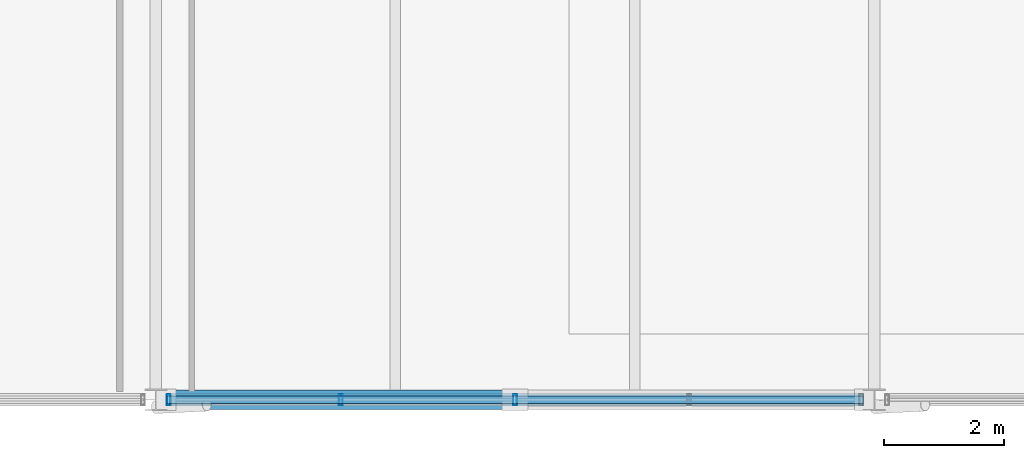
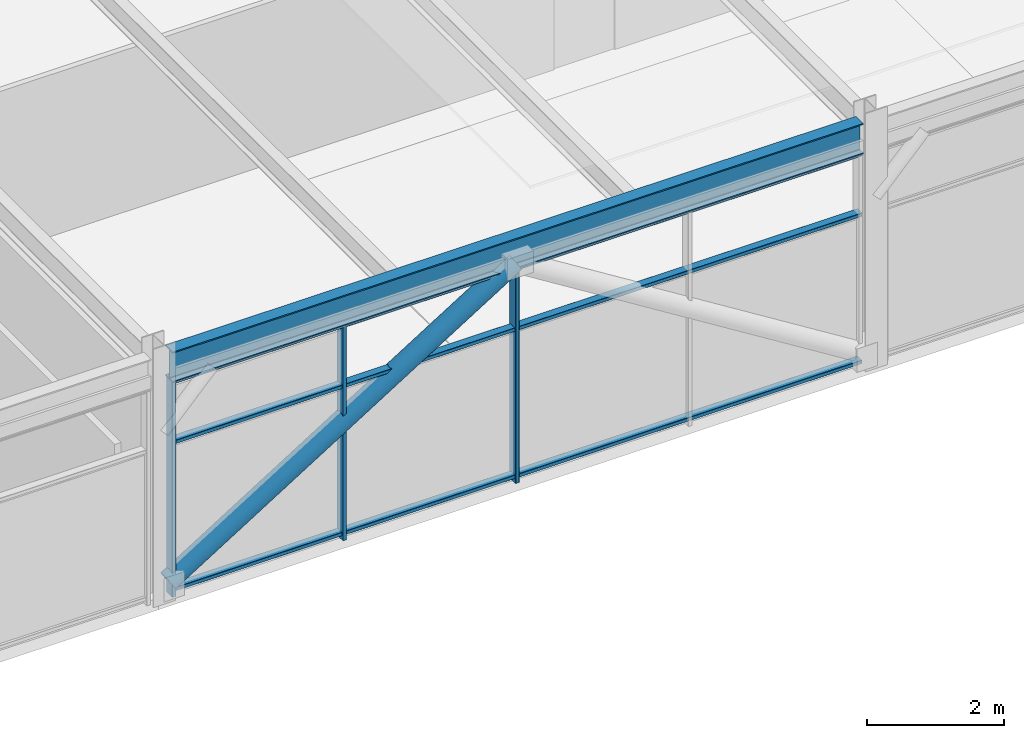
# One storey, part 16 of 28: 7 members, 1 beam, 1 element without a shape of its own.
"""IFC4 building model written with IfcOpenShell, lengths in metres."""

from ifc_helpers import new_model, si_unit, direction, frame, origin, origin_2d, place, context, subcontext, project, spatial, hollow_rectangle, hollow_circle, i_section, extrude, material, material_profile, profile_set, type_object, element, aggregate, save


model = new_model("IFC4")

# Units and contexts
model_context = context("Model", 3, precision=1e-05, world=origin(), true_north=direction((0.0, 1.0)))
body_context = subcontext(model_context, "Body", "Model", "MODEL_VIEW")
ifc_project = project(units=[si_unit("LENGTHUNIT", "METRE"), si_unit("AREAUNIT", "SQUARE_METRE"), si_unit("VOLUMEUNIT", "CUBIC_METRE"), si_unit("PLANEANGLEUNIT", "RADIAN"), si_unit("MASSUNIT", "GRAM", prefix="KILO")], contexts=[model_context])

# Site, building, storey
site_placement = place(None, origin())
site = spatial("IfcSite", under=ifc_project, at=site_placement, CompositionType="ELEMENT")
building_placement = place(site_placement, origin())
building = spatial("IfcBuilding", under=site, at=building_placement, Name="Girod Span Mobility Hub", CompositionType="ELEMENT")
storey_placement = place(building_placement, frame((0.0, 0.0, 69.60009765625)))
storey = spatial("IfcBuildingStorey", under=building, at=storey_placement, Name="L17", CompositionType="ELEMENT", Elevation=69.60009765625)

# Beam
ifc_material_1 = material(Name="Steel A992 Grade 50", Category="steel")
ifc_material_profile_1 = material_profile(ifc_material_1, i_section(OverallWidth=0.2119140625, OverallDepth=0.5439453125, WebThickness=0.01318359375, FlangeThickness=0.021240234375, FilletRadius=0.014892578125, at=origin_2d()), Name="W21X83")
ifc_profile_set_1 = profile_set([ifc_material_profile_1], Name="Steel A992 Grade 50")
beam_type = type_object("IfcBeamType", Name="BM-STL-W21X83", PredefinedType="SPANDREL", material=ifc_profile_set_1)
beam_placement = place(storey_placement, frame((96.181396484375, 45.0, 4.10791015625), z_axis=(1.0, 0.0, 0.0), x_axis=(0.0, 1.0, 0.0)))
element("IfcBeam", 1, at=beam_placement, inside=storey, type_object=beam_type, Name="Girder 9-10/D L17", PredefinedType="SPANDREL", context=body_context, shape_type="SweptSolid", body=[
    extrude(i_section(OverallWidth=0.2119140625, OverallDepth=0.5439453125, WebThickness=0.01318359375, FlangeThickness=0.021240234375, FilletRadius=0.014892578125, at=origin_2d()), origin(), (0.0, 0.0, 1.0), 11.63720703125),
])

# Curtain wall, members
ifc_material_2 = material(Name="Thermally Broken Anodised Aluminium", Category="aluminium")
curtain_wall_type = type_object("IfcCurtainWallType", Name="CW-1164X384", PredefinedType="USERDEFINED", material=ifc_material_2)
curtain_wall_placement = place(storey_placement, origin())
curtain_wall = element("IfcCurtainWall", 2, at=curtain_wall_placement, inside=storey, type_object=curtain_wall_type, Name="Unitised Curtain Wall CW-L17-S09 L17", ObjectType="UNITISED CURTAIN WALL", PredefinedType="USERDEFINED")
ifc_material_3 = material(Name="Thermally Broken Anodised Aluminium", Category="aluminium")
ifc_material_profile_2 = material_profile(ifc_material_3, hollow_rectangle(XDim=0.179931640625, YDim=0.06494140625, WallThickness=0.00390625, InnerFilletRadius=0.00390625, OuterFilletRadius=0.008056640625, at=origin_2d()), Name="CW-ML-65X180")
ifc_profile_set_2 = profile_set([ifc_material_profile_2], Name="Thermally Broken Anodised Aluminium")
member_type_1 = type_object("IfcMemberType", Name="CWM-ML-2", PredefinedType="MULLION", material=ifc_profile_set_2)
member_1_placement = place(storey_placement, frame((96.214599609375, 45.0, 0.0), z_axis=(0.0, 0.0, 1.0), x_axis=(0.0, 1.0, 0.0)))
member_1 = element("IfcMember", 3, at=member_1_placement, type_object=member_type_1, Name="Curtain Wall Mullion CW-L17-S09-M0", PredefinedType="MULLION", context=body_context, shape_type="SweptSolid", body=[
    extrude(hollow_rectangle(XDim=0.179931640625, YDim=0.06494140625, WallThickness=0.00390625, InnerFilletRadius=0.00390625, OuterFilletRadius=0.008056640625, at=origin_2d()), origin(), (0.0, 0.0, 1.0), 3.8359375),
])
member_2_placement = place(storey_placement, frame((99.09130859375, 45.0, 0.0), z_axis=(0.0, 0.0, 1.0), x_axis=(0.0, 1.0, 0.0)))
member_2 = element("IfcMember", 4, at=member_2_placement, type_object=member_type_1, Name="Curtain Wall Mullion CW-L17-S09-M1", PredefinedType="MULLION", context=body_context, shape_type="SweptSolid", body=[
    extrude(hollow_rectangle(XDim=0.179931640625, YDim=0.06494140625, WallThickness=0.00390625, InnerFilletRadius=0.00390625, OuterFilletRadius=0.008056640625, at=origin_2d()), origin(), (0.0, 0.0, 1.0), 3.8359375),
])
member_3_placement = place(storey_placement, frame((102.0, 45.0, 0.0), z_axis=(0.0, 0.0, 1.0), x_axis=(0.0, 1.0, 0.0)))
member_3 = element("IfcMember", 5, at=member_3_placement, type_object=member_type_1, Name="Curtain Wall Mullion CW-L17-S09-M2", PredefinedType="MULLION", context=body_context, shape_type="SweptSolid", body=[
    extrude(hollow_rectangle(XDim=0.179931640625, YDim=0.06494140625, WallThickness=0.00390625, InnerFilletRadius=0.00390625, OuterFilletRadius=0.008056640625, at=origin_2d()), origin(), (0.0, 0.0, 1.0), 3.8359375),
])
ifc_material_4 = material(Name="Thermally Broken Anodised Aluminium", Category="aluminium")
ifc_material_profile_3 = material_profile(ifc_material_4, hollow_rectangle(XDim=0.135009765625, YDim=0.06494140625, WallThickness=0.00390625, InnerFilletRadius=0.00390625, OuterFilletRadius=0.008056640625, at=origin_2d()), Name="CW-TR-65X135")
ifc_profile_set_3 = profile_set([ifc_material_profile_3], Name="Thermally Broken Anodised Aluminium")
member_type_2 = type_object("IfcMemberType", Name="CWM-TR-2", PredefinedType="USERDEFINED", material=ifc_profile_set_3)
member_4_placement = place(storey_placement, frame((96.1826171875, 45.0, 0.107421875), z_axis=(1.0, 0.0, 0.0), x_axis=(0.0, 1.0, 0.0)))
member_4 = element("IfcMember", 6, at=member_4_placement, type_object=member_type_2, Name="Curtain Wall Transom CW-L17-S09-T1", ObjectType="TRANSOM", PredefinedType="USERDEFINED", context=body_context, shape_type="SweptSolid", body=[
    extrude(hollow_rectangle(XDim=0.135009765625, YDim=0.06494140625, WallThickness=0.00390625, InnerFilletRadius=0.00390625, OuterFilletRadius=0.008056640625, at=origin_2d()), origin(), (0.0, 0.0, 1.0), 11.634765625),
])
member_5_placement = place(storey_placement, frame((96.1826171875, 45.0, 2.729248046875), z_axis=(1.0, 0.0, 0.0), x_axis=(0.0, 1.0, 0.0)))
member_5 = element("IfcMember", 7, at=member_5_placement, type_object=member_type_2, Name="Curtain Wall Transom CW-L17-S09-T2", ObjectType="TRANSOM", PredefinedType="USERDEFINED", context=body_context, shape_type="SweptSolid", body=[
    extrude(hollow_rectangle(XDim=0.135009765625, YDim=0.06494140625, WallThickness=0.00390625, InnerFilletRadius=0.00390625, OuterFilletRadius=0.008056640625, at=origin_2d()), origin(), (0.0, 0.0, 1.0), 11.634765625),
])
member_6_placement = place(storey_placement, frame((96.1826171875, 45.0, 3.803466796875), z_axis=(1.0, 0.0, 0.0), x_axis=(0.0, 1.0, 0.0)))
member_6 = element("IfcMember", 8, at=member_6_placement, type_object=member_type_2, Name="Curtain Wall Transom CW-L17-S09-T3", ObjectType="TRANSOM", PredefinedType="USERDEFINED", context=body_context, shape_type="SweptSolid", body=[
    extrude(hollow_rectangle(XDim=0.135009765625, YDim=0.06494140625, WallThickness=0.00390625, InnerFilletRadius=0.00390625, OuterFilletRadius=0.008056640625, at=origin_2d()), origin(), (0.0, 0.0, 1.0), 11.634765625),
])
aggregate(curtain_wall, [member_1, member_2, member_3, member_4, member_5, member_6])

# Member
ifc_material_5 = material(Name="Steel HSS A500 Grade C", Category="steel")
ifc_material_profile_4 = material_profile(ifc_material_5, hollow_circle(Radius=0.162109375, WallThickness=0.01171875, at=origin_2d()), Name="HSS324X12.7")
ifc_profile_set_4 = profile_set([ifc_material_profile_4], Name="Steel HSS A500 Grade C")
member_type_3 = type_object("IfcMemberType", Name="MB-BR-HSS324", PredefinedType="BRACE", material=ifc_profile_set_4)
member_7_placement = place(storey_placement, frame((96.16455078125, 45.0, 0.25), z_axis=(0.848074041941, 0.0, 0.529877740036), x_axis=(0.0, 1.0, 0.0)))
element("IfcMember", 9, at=member_7_placement, inside=storey, type_object=member_type_3, Name="Upper Diagrid Brace 9/D-L L17", PredefinedType="BRACE", context=body_context, shape_type="SweptSolid", body=[
    extrude(hollow_circle(Radius=0.162109375, WallThickness=0.01171875, at=origin_2d()), origin(), (0.0, 0.0, 1.0), 6.880859375),
])

save(model, "model.ifc")
